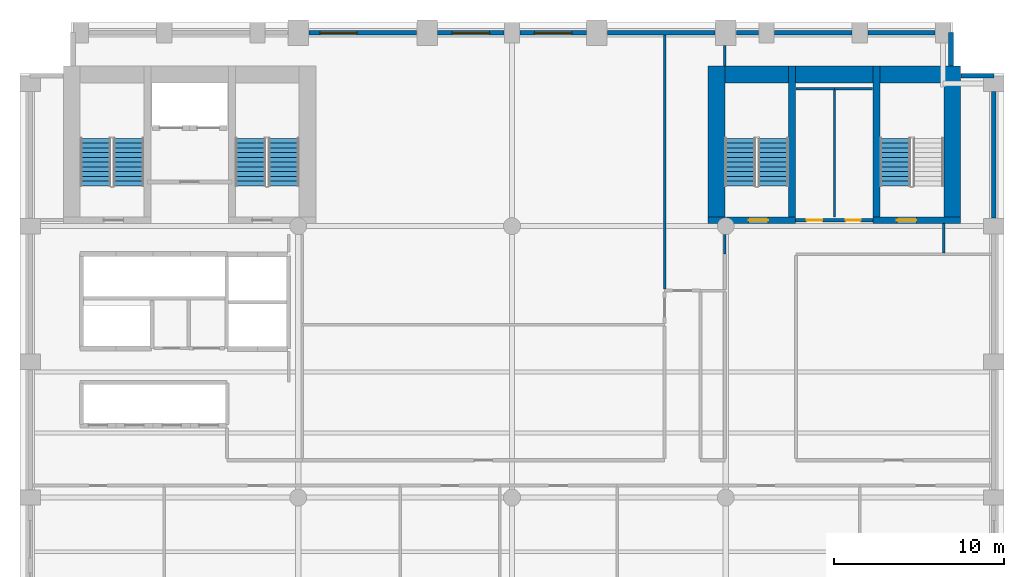
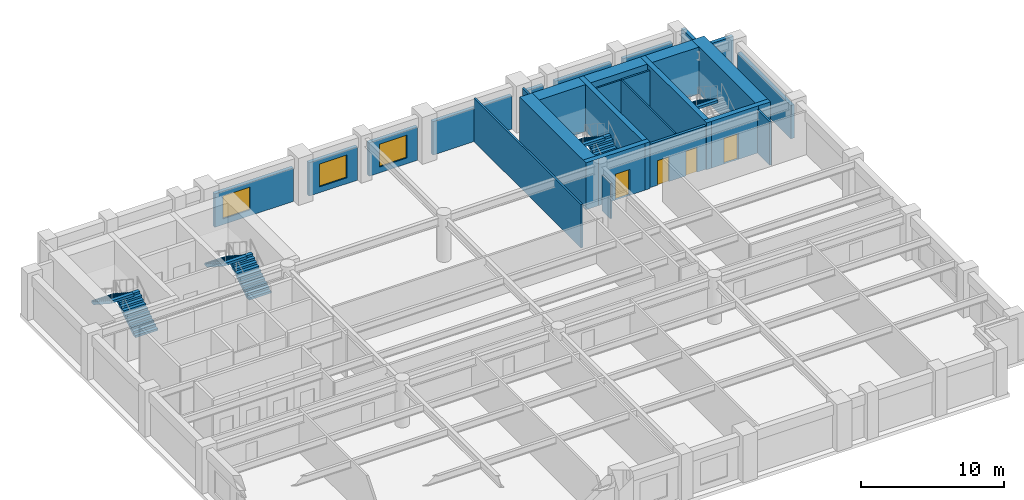
# One storey, part 5 of 8: 25 walls, 7 stair flights, 4 doors, 3 windows, 7 openings, 4 elements without a shape of their own.
"""IFC4 building model written with IfcOpenShell, lengths in metres."""

import ifcopenshell
import ifcopenshell.guid

model = None  # the IFC model being written
_history = None  # IfcOwnerHistory: only IFC2X3 demands one
_inside = {}  # id of a spatial element -> (the spatial element, [elements in it])
_under = {}  # id of a project, library or spatial element -> (it, [spatial elements below it])
_declared = {}  # id of a project -> (the project, [libraries it declares])
_typed = {}  # id of a type object -> (the type object, [elements of that type])
_made_of = {}  # id of a material, layer set ... -> (it, [elements and type objects made of it])


def new_model(schema):
    """Start an empty IFC model of exactly this schema.

    Asked for "IFC4X3", IfcOpenShell would pick the latest addendum, in which some entities
    have other attributes; the version numbers below select the first issue.
    IFC2X3 requires an IfcOwnerHistory on every rooted entity: one is made here for all.
    """
    global model, _history
    if schema == "IFC4X3":
        model = ifcopenshell.file(schema_version=(4, 3, 0, 0))
    else:
        model = ifcopenshell.file(schema=schema)
    _inside.clear()
    _under.clear()
    _declared.clear()
    _typed.clear()
    _made_of.clear()
    _history = None
    if model.schema == "IFC2X3":
        org = make("IfcOrganization", Name="unknown")
        user = make(
            "IfcPersonAndOrganization",
            ThePerson=make("IfcPerson", FamilyName="unknown"),
            TheOrganization=org,
        )
        app = make(
            "IfcApplication",
            ApplicationDeveloper=org,
            Version="unknown",
            ApplicationFullName="unknown",
            ApplicationIdentifier="unknown",
        )
        _history = make(
            "IfcOwnerHistory",
            OwningUser=user,
            OwningApplication=app,
            ChangeAction="ADDED",
            CreationDate=0,
        )
    return model


def make(cls, **values):
    """One entity of the class cls with the attributes given. An attribute that is None is left unset."""
    return model.create_entity(
        cls, **{name: value for name, value in values.items() if value is not None}
    )


def rooted(cls, **values):
    """An entity with a GlobalId (a new one), such as an element, a storey or a relation."""
    return make(cls, GlobalId=ifcopenshell.guid.new(), OwnerHistory=_history, **values)


def si_unit(unit_type, name, prefix=None):
    """IfcSIUnit, for example si_unit("LENGTHUNIT", "METRE", prefix="MILLI")."""
    return make("IfcSIUnit", UnitType=unit_type, Prefix=prefix, Name=name)


def assignment(units):
    """IfcUnitAssignment: the units of a project."""
    return None if units is None else make("IfcUnitAssignment", Units=units)


def point(xyz):
    """IfcCartesianPoint."""
    return None if xyz is None else make("IfcCartesianPoint", Coordinates=xyz)


def direction(xyz):
    """IfcDirection."""
    return None if xyz is None else make("IfcDirection", DirectionRatios=xyz)


def frame(location, z_axis=None, x_axis=None):
    """IfcAxis2Placement3D, a coordinate frame: its origin and axes. An axis left out is left unset."""
    return make(
        "IfcAxis2Placement3D",
        Location=point(location),
        Axis=direction(z_axis),
        RefDirection=direction(x_axis),
    )


def frame_2d(location, x_axis=None):
    """IfcAxis2Placement2D, a coordinate frame in the plane: its origin and x axis."""
    return make(
        "IfcAxis2Placement2D", Location=point(location), RefDirection=direction(x_axis)
    )


def origin():
    """The frame at (0, 0, 0) with its axes left unset."""
    return frame((0.0, 0.0, 0.0))


def place(relative_to, where):
    """IfcLocalPlacement: puts the frame where relative to a parent placement (None: the world)."""
    return make(
        "IfcLocalPlacement", PlacementRelTo=relative_to, RelativePlacement=where
    )


def context(
    kind, dimensions, precision=None, world=None, true_north=None, identifier=None
):
    """IfcGeometricRepresentationContext, for example the 3D "Model" context."""
    return make(
        "IfcGeometricRepresentationContext",
        ContextIdentifier=identifier,
        ContextType=kind,
        CoordinateSpaceDimension=dimensions,
        Precision=precision,
        WorldCoordinateSystem=world,
        TrueNorth=true_north,
    )


def subcontext(parent, identifier, kind, view, scale=None):
    """IfcGeometricRepresentationSubContext, for example "Body" below "Model"."""
    return make(
        "IfcGeometricRepresentationSubContext",
        ContextIdentifier=identifier,
        ContextType=kind,
        ParentContext=parent,
        TargetScale=scale,
        TargetView=view,
    )


def project(units=None, contexts=None):
    """IfcProject with its units and contexts."""
    return rooted(
        "IfcProject",
        Name="project",
        RepresentationContexts=contexts,
        UnitsInContext=assignment(units),
    )


def spatial(cls, under=None, at=None, **own):
    """A site, building, storey or space (cls), placed at a placement, below another one or the project."""
    s = rooted(cls, ObjectPlacement=at, **own)
    if under is not None:
        _under.setdefault(under.id(), (under, []))[1].append(s)
    return s


def polyline(points):
    """IfcPolyline through the points."""
    return make("IfcPolyline", Points=[point(p) for p in points])


def profile(cls, at=None, kind="AREA", **sizes):
    """A parametric profile (cls). Its sizes go by their IFC names, for example OverallWidth=200.0."""
    return make(cls, ProfileType=kind, Position=at, **sizes)


def rectangle(**sizes):
    """IfcRectangleProfileDef."""
    return profile("IfcRectangleProfileDef", **sizes)


def outline(outer, holes=None, kind="AREA"):
    """IfcArbitraryClosedProfileDef: a profile drawn as a closed curve; with holes, ...WithVoids."""
    if holes is None:
        return make("IfcArbitraryClosedProfileDef", ProfileType=kind, OuterCurve=outer)
    return make(
        "IfcArbitraryProfileDefWithVoids",
        ProfileType=kind,
        OuterCurve=outer,
        InnerCurves=holes,
    )


def extrude(swept, where, along, depth):
    """IfcExtrudedAreaSolid: the profile swept, set in the frame where, extruded along a direction by depth."""
    return make(
        "IfcExtrudedAreaSolid",
        SweptArea=swept,
        Position=where,
        ExtrudedDirection=direction(along),
        Depth=depth,
    )


def shape(context_of_items, identifier, shape_type, items):
    """IfcShapeRepresentation: the items that make up one representation, for example the "Body"."""
    return make(
        "IfcShapeRepresentation",
        ContextOfItems=context_of_items,
        RepresentationIdentifier=identifier,
        RepresentationType=shape_type,
        Items=items,
    )


def material(Name=None, Category=None):
    """IfcMaterial."""
    return make("IfcMaterial", Name=Name, Category=Category)


def layer(
    of_material, thickness, ventilated=None, Name=None, Category=None, Priority=None
):
    """IfcMaterialLayer: one layer of a wall or slab, of a material (None: an air gap)."""
    return make(
        "IfcMaterialLayer",
        Material=of_material,
        LayerThickness=thickness,
        IsVentilated=ventilated,
        Name=Name,
        Category=Category,
        Priority=Priority,
    )


def layer_set(layers, Name=None):
    """IfcMaterialLayerSet."""
    return make("IfcMaterialLayerSet", MaterialLayers=layers, LayerSetName=Name)


def made_of(thing, what):
    """Note that an element or type object is made of a material, layer set ...; save() writes the relation."""
    if what is not None:
        _made_of.setdefault(what.id(), (what, []))[1].append(thing)
    return thing


def type_object(cls, material=None, **own):
    """A type object (cls), such as IfcWallType, which elements share."""
    return made_of(rooted(cls, **own), material)


def element(
    cls,
    number,
    at=None,
    inside=None,
    cuts=None,
    type_object=None,
    material=None,
    context=None,
    identifier="Body",
    shape_type=None,
    held_by="IfcProductDefinitionShape",
    body=None,
    shapes=None,
    **own,
):
    """One element of the class cls, such as IfcWall. Its Tag is "e" and its number.

    at: its placement. inside: the storey or other place that contains it. cuts: it is an
    opening in that element (IfcRelVoidsElement). A single representation is given by context,
    identifier, shape_type and body (its items); several are given by shapes. held_by: the class
    of the entity that holds the representations. save() writes the other relations.
    """
    e = rooted(cls, Tag="e%d" % number, ObjectPlacement=at, **own)
    if body is not None:
        shapes = [shape(context, identifier, shape_type, body)]
    if shapes is not None:
        e.Representation = make(held_by, Representations=shapes)
    if inside is not None:
        _inside.setdefault(inside.id(), (inside, []))[1].append(e)
    if cuts is not None:
        rooted(
            "IfcRelVoidsElement", RelatingBuildingElement=cuts, RelatedOpeningElement=e
        )
    if type_object is not None:
        _typed.setdefault(type_object.id(), (type_object, []))[1].append(e)
    return made_of(e, material)


def fill(opening, filler):
    """IfcRelFillsElement: the door or window that sits in an opening."""
    return rooted(
        "IfcRelFillsElement",
        RelatingOpeningElement=opening,
        RelatedBuildingElement=filler,
    )


def aggregate(whole, parts):
    """IfcRelAggregates: a whole, such as a stair, and the parts it consists of."""
    return rooted("IfcRelAggregates", RelatingObject=whole, RelatedObjects=parts)


def save(model, path):
    """Write the relations noted so far, then the file.

    IfcRelAggregates (storeys below a building ...), IfcRelContainedInSpatialStructure (elements
    in a storey), IfcRelDefinesByType, IfcRelAssociatesMaterial and IfcRelDeclares: one each for
    every whole, place, type object, material and project.
    """
    for whole, parts in _under.values():
        aggregate(whole, parts)
    for where, things in _inside.values():
        rooted(
            "IfcRelContainedInSpatialStructure",
            RelatedElements=things,
            RelatingStructure=where,
        )
    for kind, things in _typed.values():
        rooted("IfcRelDefinesByType", RelatedObjects=things, RelatingType=kind)
    for what, things in _made_of.values():
        rooted("IfcRelAssociatesMaterial", RelatedObjects=things, RelatingMaterial=what)
    for by, libraries in _declared.values():
        rooted("IfcRelDeclares", RelatingContext=by, RelatedDefinitions=libraries)
    model.write(path)


model = new_model("IFC4")

# Units and contexts
model_context = context("Model", 3, precision=1e-05, world=origin(), true_north=direction((0.0, 1.0)))
body_context = subcontext(model_context, "Body", "Model", "MODEL_VIEW")
ifc_project = project(units=[si_unit("LENGTHUNIT", "METRE"), si_unit("AREAUNIT", "SQUARE_METRE"), si_unit("VOLUMEUNIT", "CUBIC_METRE"), si_unit("PLANEANGLEUNIT", "RADIAN"), si_unit("MASSUNIT", "GRAM", prefix="KILO")], contexts=[model_context])

# Site, building, storey
site_placement = place(None, origin())
site = spatial("IfcSite", under=ifc_project, at=site_placement, CompositionType="ELEMENT")
building_placement = place(site_placement, origin())
building = spatial("IfcBuilding", under=site, at=building_placement, Name="Sulina Concourse Tower", CompositionType="ELEMENT")
storey_placement = place(building_placement, frame((0.0, 0.0, 74.60009765625)))
storey = spatial("IfcBuildingStorey", under=building, at=storey_placement, Name="L18", CompositionType="ELEMENT", Elevation=74.60009765625)

# Wall, openings, doors
ifc_material_1 = material(Name="Gypsum board on steel stud", Category="steel")
ifc_layer_1 = layer(ifc_material_1, 0.219970703125)
ifc_layer_set_1 = layer_set([ifc_layer_1], Name="Gypsum board on steel stud")
wall_type_1 = type_object("IfcWallType", Name="Fire-Rated Lobby & Compartment Wall 220mm", PredefinedType="PARTITIONING", material=ifc_layer_set_1)
wall_1_placement = place(storey_placement, frame((45.719970703125, 34.35009765625, 0.0), z_axis=(0.0, 0.0, 1.0), x_axis=(1.0, 0.0, 0.0)))
wall_1 = element("IfcWall", 1, at=wall_1_placement, inside=storey, type_object=wall_type_1, Name="L18 east core south lobby wall", PredefinedType="PARTITIONING", context=body_context, shape_type="SweptSolid", body=[
    extrude(rectangle(XDim=4.56005859375, YDim=0.219970703125, at=frame_2d((2.280029296875, 0.0))), origin(), (0.0, 0.0, 1.0), 3.699951171875),
])
opening_1_placement = place(wall_1_placement, frame((0.64990234375, 0.0, 0.0)))
opening_1 = element("IfcOpeningElement", 2, at=opening_1_placement, cuts=wall_1, Name="Opening DR-61", PredefinedType="OPENING", context=body_context, shape_type="SweptSolid", body=[
    extrude(rectangle(XDim=0.919921875, YDim=2.10009765625, at=frame_2d((0.4599609375, 1.050048828125))), frame((0.0, 0.119873046875, 0.0), z_axis=(0.0, -1.0, 0.0), x_axis=(1.0, 0.0, 0.0)), (0.0, 0.0, 1.0), 0.239990234375),
])
opening_2_placement = place(wall_1_placement, frame((2.949951171875, 0.0, 0.0)))
opening_2 = element("IfcOpeningElement", 3, at=opening_2_placement, cuts=wall_1, Name="Opening DR-38", PredefinedType="OPENING", context=body_context, shape_type="SweptSolid", body=[
    extrude(rectangle(XDim=0.8798828125, YDim=2.10009765625, at=frame_2d((0.43994140625, 1.050048828125))), frame((0.0, 0.119873046875, 0.0), z_axis=(0.0, -1.0, 0.0), x_axis=(1.0, 0.0, 0.0)), (0.0, 0.0, 1.0), 0.239990234375),
])
ifc_material_2 = material(Name="Oak-veneered fire door leaf")
ifc_layer_2 = layer(ifc_material_2, 0.050048828125)
ifc_layer_set_2 = layer_set([ifc_layer_2], Name="Oak-veneered fire door leaf")
door_type_1 = type_object("IfcDoorType", Name="Accessible WC Door 920x2100", OperationType="NOTDEFINED", PredefinedType="DOOR", material=ifc_layer_set_2)
door_1_placement = place(opening_1_placement, origin())
door_1 = element("IfcDoor", 4, at=door_1_placement, inside=storey, type_object=door_type_1, Name="L18 east core accessible wc door", OperationType="SINGLE_SWING_LEFT", OverallHeight=2.10009765625, OverallWidth=0.919921875, PredefinedType="DOOR", context=body_context, shape_type="SweptSolid", body=[
    extrude(rectangle(XDim=0.919921875, YDim=2.10009765625, at=frame_2d((0.4599609375, 1.050048828125))), frame((0.0, 0.02490234375, 0.0), z_axis=(0.0, -1.0, 0.0), x_axis=(1.0, 0.0, 0.0)), (0.0, 0.0, 1.0), 0.050048828125),
])
fill(opening_1, door_1)
ifc_material_3 = material(Name="Galvanised steel acoustic fire leaf", Category="steel")
ifc_layer_3 = layer(ifc_material_3, 0.050048828125)
ifc_layer_set_3 = layer_set([ifc_layer_3], Name="Galvanised steel acoustic fire leaf")
door_type_2 = type_object("IfcDoorType", Name="Service Riser Fire Door 880x2100", OperationType="NOTDEFINED", PredefinedType="DOOR", material=ifc_layer_set_3)
door_2_placement = place(opening_2_placement, origin())
door_2 = element("IfcDoor", 5, at=door_2_placement, inside=storey, type_object=door_type_2, Name="L18 east core store door", OperationType="SINGLE_SWING_RIGHT", OverallHeight=2.10009765625, OverallWidth=0.8798828125, PredefinedType="DOOR", context=body_context, shape_type="SweptSolid", body=[
    extrude(rectangle(XDim=0.8798828125, YDim=2.10009765625, at=frame_2d((0.43994140625, 1.050048828125))), frame((0.0, 0.02490234375, 0.0), z_axis=(0.0, -1.0, 0.0), x_axis=(1.0, 0.0, 0.0)), (0.0, 0.0, 1.0), 0.050048828125),
])
fill(opening_2, door_2)

# Walls
ifc_material_4 = material(Name="Gypsum board on steel stud", Category="steel")
ifc_layer_4 = layer(ifc_material_4, 0.14990234375)
ifc_layer_set_4 = layer_set([ifc_layer_4], Name="Gypsum board on steel stud")
wall_type_2 = type_object("IfcWallType", Name="Inter-Tenancy Acoustic Partition 150mm", PredefinedType="PARTITIONING", material=ifc_layer_set_4)
wall_2_placement = place(storey_placement, frame((48.0, 42.10009765625, 0.0), z_axis=(0.0, 0.0, 1.0), x_axis=(1.0, 0.0, 0.0)))
element("IfcWall", 6, at=wall_2_placement, inside=storey, type_object=wall_type_2, Name="L18 interior partition 020", PredefinedType="PARTITIONING", context=body_context, shape_type="SweptSolid", body=[
    extrude(rectangle(XDim=2.25, YDim=0.14990234375, at=frame_2d((1.125, 0.0))), origin(), (0.0, 0.0, 1.0), 3.699951171875),
])
wall_3_placement = place(storey_placement, frame((38.0, 30.2900390625, 0.0), z_axis=(0.0, 0.0, 1.0), x_axis=(0.0, 1.0, 0.0)))
element("IfcWall", 7, at=wall_3_placement, inside=storey, type_object=wall_type_2, Name="L18 interior partition 033", PredefinedType="PARTITIONING", context=body_context, shape_type="SweptSolid", body=[
    extrude(rectangle(XDim=14.969970703125, YDim=0.14990234375, at=frame_2d((7.48486328125, 0.0))), origin(), (0.0, 0.0, 1.0), 3.699951171875),
])
wall_4_placement = place(storey_placement, frame((41.550048828125, 32.35009765625, 0.0), z_axis=(0.0, 0.0, 1.0), x_axis=(0.0, 1.0, 0.0)))
element("IfcWall", 8, at=wall_4_placement, inside=storey, type_object=wall_type_2, Name="L18 interior partition 037", PredefinedType="PARTITIONING", context=body_context, shape_type="SweptSolid", body=[
    extrude(rectangle(XDim=1.14990234375, YDim=0.14990234375, at=frame_2d((0.574951171875, 0.0))), origin(), (0.0, 0.0, 1.0), 2.994873046875),
])
wall_5_placement = place(storey_placement, frame((41.550048828125, 43.429931640625, 0.0), z_axis=(0.0, 0.0, 1.0), x_axis=(0.0, 1.0, 0.0)))
element("IfcWall", 9, at=wall_5_placement, inside=storey, type_object=wall_type_2, Name="L18 interior partition 038", PredefinedType="PARTITIONING", context=body_context, shape_type="SweptSolid", body=[
    extrude(rectangle(XDim=1.219970703125, YDim=0.14990234375, at=frame_2d((0.60986328125, 0.0))), origin(), (0.0, 0.0, 1.0), 3.699951171875),
])
wall_6_placement = place(storey_placement, frame((54.449951171875, 32.425048828125, 0.0), z_axis=(0.0, 0.0, 1.0), x_axis=(0.0, 1.0, 0.0)))
element("IfcWall", 10, at=wall_6_placement, inside=storey, type_object=wall_type_2, Name="L18 interior partition 042", PredefinedType="PARTITIONING", context=body_context, shape_type="SweptSolid", body=[
    extrude(rectangle(XDim=1.724853515625, YDim=0.14990234375, at=frame_2d((0.8623046875, 0.0))), origin(), (0.0, 0.0, 1.0), 3.699951171875),
])

# Wall, opening, door
ifc_material_5 = material(Name="Concrete C60/75", Category="concrete")
ifc_layer_5 = layer(ifc_material_5, 0.39990234375)
ifc_layer_set_5 = layer_set([ifc_layer_5], Name="Concrete C60/75")
wall_type_3 = type_object("IfcWallType", Name="Protected Stair Core Shear Wall 400mm", PredefinedType="SHEAR", material=ifc_layer_set_5)
wall_7_placement = place(storey_placement, frame((40.550048828125, 34.35009765625, 0.0), z_axis=(0.0, 0.0, 1.0), x_axis=(1.0, 0.0, 0.0)))
wall_7 = element("IfcWall", 11, at=wall_7_placement, inside=storey, type_object=wall_type_3, Name="L18 east core shear wall CW-ES1", PredefinedType="SHEAR", context=body_context, shape_type="SweptSolid", body=[
    extrude(rectangle(XDim=5.159912109375, YDim=0.39990234375, at=frame_2d((2.580078125, 0.0))), origin(), (0.0, 0.0, 1.0), 4.0),
])
opening_3_placement = place(wall_7_placement, frame((2.39990234375, 0.0, 0.0)))
opening_3 = element("IfcOpeningElement", 12, at=opening_3_placement, cuts=wall_7, Name="Opening DR-60", PredefinedType="OPENING", context=body_context, shape_type="SweptSolid", body=[
    extrude(rectangle(XDim=1.14990234375, YDim=2.199951171875, at=frame_2d((0.574951171875, 1.10009765625))), frame((0.0, 0.2099609375, 0.0), z_axis=(0.0, -1.0, 0.0), x_axis=(1.0, 0.0, 0.0)), (0.0, 0.0, 1.0), 0.419921875),
])
ifc_material_6 = material(Name="Galvanised steel acoustic fire leaf", Category="steel")
ifc_layer_6 = layer(ifc_material_6, 0.054931640625)
ifc_layer_set_6 = layer_set([ifc_layer_6], Name="Galvanised steel acoustic fire leaf")
door_type_3 = type_object("IfcDoorType", Name="Protected Exit Stair Fire Door 1150x2200", OperationType="NOTDEFINED", PredefinedType="DOOR", material=ifc_layer_set_6)
door_3_placement = place(opening_3_placement, origin())
door_3 = element("IfcDoor", 13, at=door_3_placement, inside=storey, type_object=door_type_3, Name="L18 stair ST-3 south lobby fire door", OperationType="SINGLE_SWING_RIGHT", OverallHeight=2.199951171875, OverallWidth=1.14990234375, PredefinedType="DOOR", context=body_context, shape_type="SweptSolid", body=[
    extrude(rectangle(XDim=1.14990234375, YDim=2.199951171875, at=frame_2d((0.574951171875, 1.10009765625))), frame((0.0, 0.02490234375, 0.0), z_axis=(0.0, -1.0, 0.0), x_axis=(1.0, 0.0, 0.0)), (0.0, 0.0, 1.0), 0.050048828125),
])
fill(opening_3, door_3)

# Wall
wall_8_placement = place(storey_placement, frame((45.510009765625, 34.14990234375, 0.0), z_axis=(0.0, 0.0, 1.0), x_axis=(0.0, 1.0, 0.0)))
element("IfcWall", 14, at=wall_8_placement, inside=storey, type_object=wall_type_3, Name="L18 east core shear wall SW-ST3", PredefinedType="SHEAR", context=body_context, shape_type="SweptSolid", body=[
    extrude(rectangle(XDim=9.280029296875, YDim=0.39990234375, at=frame_2d((4.64013671875, 0.0))), origin(), (0.0, 0.0, 1.0), 4.0),
])

# Wall, opening, door
wall_9_placement = place(storey_placement, frame((50.2900390625, 34.35009765625, 0.0), z_axis=(0.0, 0.0, 1.0), x_axis=(1.0, 0.0, 0.0)))
wall_9 = element("IfcWall", 15, at=wall_9_placement, inside=storey, type_object=wall_type_3, Name="L18 east core shear wall CW-ES2", PredefinedType="SHEAR", context=body_context, shape_type="SweptSolid", body=[
    extrude(rectangle(XDim=5.159912109375, YDim=0.39990234375, at=frame_2d((2.580078125, 0.0))), origin(), (0.0, 0.0, 1.0), 4.0),
])
opening_4_placement = place(wall_9_placement, frame((1.39990234375, 0.0, 0.0)))
opening_4 = element("IfcOpeningElement", 16, at=opening_4_placement, cuts=wall_9, Name="Opening DR-60", PredefinedType="OPENING", context=body_context, shape_type="SweptSolid", body=[
    extrude(rectangle(XDim=1.14990234375, YDim=2.199951171875, at=frame_2d((0.574951171875, 1.10009765625))), frame((0.0, 0.2099609375, 0.0), z_axis=(0.0, -1.0, 0.0), x_axis=(1.0, 0.0, 0.0)), (0.0, 0.0, 1.0), 0.419921875),
])
door_4_placement = place(opening_4_placement, origin())
door_4 = element("IfcDoor", 17, at=door_4_placement, inside=storey, type_object=door_type_3, Name="L18 stair ST-4 south lobby fire door", OperationType="SINGLE_SWING_LEFT", OverallHeight=2.199951171875, OverallWidth=1.14990234375, PredefinedType="DOOR", context=body_context, shape_type="SweptSolid", body=[
    extrude(rectangle(XDim=1.14990234375, YDim=2.199951171875, at=frame_2d((0.574951171875, 1.10009765625))), frame((0.0, 0.02490234375, 0.0), z_axis=(0.0, -1.0, 0.0), x_axis=(1.0, 0.0, 0.0)), (0.0, 0.0, 1.0), 0.050048828125),
])
fill(opening_4, door_4)

# Walls
wall_10_placement = place(storey_placement, frame((50.489990234375, 34.14990234375, 0.0), z_axis=(0.0, 0.0, 1.0), x_axis=(0.0, 1.0, 0.0)))
element("IfcWall", 18, at=wall_10_placement, inside=storey, type_object=wall_type_3, Name="L18 east core shear wall SW-ST4", PredefinedType="SHEAR", context=body_context, shape_type="SweptSolid", body=[
    extrude(rectangle(XDim=9.280029296875, YDim=0.39990234375, at=frame_2d((4.64013671875, 0.0))), origin(), (0.0, 0.0, 1.0), 4.0),
])
ifc_material_7 = material(Name="Concrete C80/95", Category="concrete")
ifc_layer_7 = layer(ifc_material_7, 1.0)
ifc_layer_set_7 = layer_set([ifc_layer_7], Name="Concrete C80/95")
wall_type_4 = type_object("IfcWallType", Name="Rear Core Shear Wall 1000mm", PredefinedType="SHEAR", material=ifc_layer_set_7)
wall_11_placement = place(storey_placement, frame((40.550048828125, 42.929931640625, 0.0), z_axis=(0.0, 0.0, 1.0), x_axis=(1.0, 0.0, 0.0)))
element("IfcWall", 19, at=wall_11_placement, inside=storey, type_object=wall_type_4, Name="L18 east core shear wall CW-EN", PredefinedType="SHEAR", context=body_context, shape_type="SweptSolid", body=[
    extrude(rectangle(XDim=14.89990234375, YDim=1.0, at=frame_2d((7.449951171875, 0.0))), origin(), (0.0, 0.0, 1.0), 4.0),
])
for number, where, z_axis, x_axis, name in (
    (20, (41.050048828125, 34.14990234375, 0.0), (0.0, 0.0, 1.0), (0.0, 1.0, 0.0), "L18 east core shear wall CW-EW"),
    (21, (54.949951171875, 34.14990234375, 0.0), (0.0, 0.0, 1.0), (0.0, 1.0, 0.0), "L18 east core shear wall CW-EE"),
):
    element("IfcWall", number, at=place(storey_placement, frame(where, z_axis=z_axis, x_axis=x_axis)), inside=storey, type_object=wall_type_4, Name=name, PredefinedType="SHEAR", context=body_context, shape_type="SweptSolid", body=[
        extrude(rectangle(XDim=9.280029296875, YDim=1.0, at=frame_2d((4.64013671875, 0.0))), origin(), (0.0, 0.0, 1.0), 4.0),
    ])

# Wall, opening, window
ifc_material_8 = material(Name="Precast concrete C50/60", Category="concrete")
ifc_layer_8 = layer(ifc_material_8, 0.280029296875)
ifc_layer_set_8 = layer_set([ifc_layer_8], Name="Precast concrete C50/60")
wall_type_5 = type_object("IfcWallType", Name="Typical Precast Masonry-Frame Facade Wall 280mm", PredefinedType="SOLIDWALL", material=ifc_layer_set_8)
wall_12_placement = place(storey_placement, frame((17.02001953125, 45.39990234375, 0.0), z_axis=(0.0, 0.0, 1.0), x_axis=(1.0, 0.0, 0.0)))
wall_12 = element("IfcWall", 22, at=wall_12_placement, inside=storey, type_object=wall_type_5, Name="L18 exterior precast wall N4", PredefinedType="SOLIDWALL", context=body_context, shape_type="SweptSolid", body=[
    extrude(rectangle(XDim=6.35986328125, YDim=0.280029296875, at=frame_2d((3.179931640625, 0.0))), origin(), (0.0, 0.0, 1.0), 2.849853515625),
])
opening_5_placement = place(wall_12_placement, frame((0.6533203125, 0.0, 0.5)))
opening_5 = element("IfcOpeningElement", 23, at=opening_5_placement, cuts=wall_12, Name="Opening WN-76", PredefinedType="OPENING", context=body_context, shape_type="SweptSolid", body=[
    extrude(rectangle(XDim=2.199951171875, YDim=1.949951171875, at=frame_2d((1.10009765625, 0.97509765625))), frame((0.0, 0.14990234375, 0.0), z_axis=(0.0, -1.0, 0.0), x_axis=(1.0, 0.0, 0.0)), (0.0, 0.0, 1.0), 0.300048828125),
])
ifc_material_9 = material(Name="Low-E solar double glazing in bronze aluminium", Category="aluminium")
window_type = type_object("IfcWindowType", Name="Recessed Spandrel Window 2200x1950", PartitioningType="DOUBLE_PANEL_VERTICAL", PredefinedType="WINDOW", material=ifc_material_9)
window_1_placement = place(opening_5_placement, origin())
window_1 = element("IfcWindow", 24, at=window_1_placement, inside=storey, type_object=window_type, Name="L18 punched window N4-1", OverallHeight=1.949951171875, OverallWidth=2.199951171875, PartitioningType="SINGLE_PANEL", PredefinedType="WINDOW", context=body_context, shape_type="SweptSolid", body=[
    extrude(rectangle(XDim=2.199951171875, YDim=1.949951171875, at=frame_2d((1.10009765625, 0.97509765625))), frame((0.0, 0.030029296875, 0.0), z_axis=(0.0, -1.0, 0.0), x_axis=(1.0, 0.0, 0.0)), (0.0, 0.0, 1.0), 0.06005859375),
])
fill(opening_5, window_1)

wall_13_placement = place(storey_placement, frame((24.6201171875, 45.39990234375, 0.0), z_axis=(0.0, 0.0, 1.0), x_axis=(1.0, 0.0, 0.0)))
wall_13 = element("IfcWall", 25, at=wall_13_placement, inside=storey, type_object=wall_type_5, Name="L18 exterior precast wall N5", PredefinedType="SOLIDWALL", context=body_context, shape_type="SweptSolid", body=[
    extrude(rectangle(XDim=3.909912109375, YDim=0.280029296875, at=frame_2d((1.955078125, 0.0))), origin(), (0.0, 0.0, 1.0), 2.849853515625),
])
opening_6_placement = place(wall_13_placement, frame((0.85498046875, 0.0, 0.5)))
opening_6 = element("IfcOpeningElement", 26, at=opening_6_placement, cuts=wall_13, Name="Opening WN-76", PredefinedType="OPENING", context=body_context, shape_type="SweptSolid", body=[
    extrude(rectangle(XDim=2.199951171875, YDim=1.949951171875, at=frame_2d((1.10009765625, 0.97509765625))), frame((0.0, 0.14990234375, 0.0), z_axis=(0.0, -1.0, 0.0), x_axis=(1.0, 0.0, 0.0)), (0.0, 0.0, 1.0), 0.300048828125),
])
window_2_placement = place(opening_6_placement, origin())
window_2 = element("IfcWindow", 27, at=window_2_placement, inside=storey, type_object=window_type, Name="L18 punched window N5-1", OverallHeight=1.949951171875, OverallWidth=2.199951171875, PartitioningType="SINGLE_PANEL", PredefinedType="WINDOW", context=body_context, shape_type="SweptSolid", body=[
    extrude(rectangle(XDim=2.199951171875, YDim=1.949951171875, at=frame_2d((1.10009765625, 0.97509765625))), frame((0.0, 0.030029296875, 0.0), z_axis=(0.0, -1.0, 0.0), x_axis=(1.0, 0.0, 0.0)), (0.0, 0.0, 1.0), 0.06005859375),
])
fill(opening_6, window_2)

wall_14_placement = place(storey_placement, frame((29.469970703125, 45.39990234375, 0.0), z_axis=(0.0, 0.0, 1.0), x_axis=(1.0, 0.0, 0.0)))
wall_14 = element("IfcWall", 28, at=wall_14_placement, inside=storey, type_object=wall_type_5, Name="L18 exterior precast wall N6", PredefinedType="SOLIDWALL", context=body_context, shape_type="SweptSolid", body=[
    extrude(rectangle(XDim=3.909912109375, YDim=0.280029296875, at=frame_2d((1.955078125, 0.0))), origin(), (0.0, 0.0, 1.0), 2.849853515625),
])
opening_7_placement = place(wall_14_placement, frame((0.85498046875, 0.0, 0.5)))
opening_7 = element("IfcOpeningElement", 29, at=opening_7_placement, cuts=wall_14, Name="Opening WN-76", PredefinedType="OPENING", context=body_context, shape_type="SweptSolid", body=[
    extrude(rectangle(XDim=2.199951171875, YDim=1.949951171875, at=frame_2d((1.10009765625, 0.97509765625))), frame((0.0, 0.14990234375, 0.0), z_axis=(0.0, -1.0, 0.0), x_axis=(1.0, 0.0, 0.0)), (0.0, 0.0, 1.0), 0.300048828125),
])
window_3_placement = place(opening_7_placement, origin())
window_3 = element("IfcWindow", 30, at=window_3_placement, inside=storey, type_object=window_type, Name="L18 punched window N6-1", OverallHeight=1.949951171875, OverallWidth=2.199951171875, PartitioningType="SINGLE_PANEL", PredefinedType="WINDOW", context=body_context, shape_type="SweptSolid", body=[
    extrude(rectangle(XDim=2.199951171875, YDim=1.949951171875, at=frame_2d((1.10009765625, 0.97509765625))), frame((0.0, 0.030029296875, 0.0), z_axis=(0.0, -1.0, 0.0), x_axis=(1.0, 0.0, 0.0)), (0.0, 0.0, 1.0), 0.06005859375),
])
fill(opening_7, window_3)

# Walls
wall_15_placement = place(storey_placement, frame((34.6201171875, 45.39990234375, 0.0), z_axis=(0.0, 0.0, 1.0), x_axis=(1.0, 0.0, 0.0)))
element("IfcWall", 31, at=wall_15_placement, inside=storey, type_object=wall_type_5, Name="L18 exterior precast wall N7", PredefinedType="SOLIDWALL", context=body_context, shape_type="SweptSolid", body=[
    extrude(rectangle(XDim=6.35986328125, YDim=0.280029296875, at=frame_2d((3.179931640625, 0.0))), origin(), (0.0, 0.0, 1.0), 2.849853515625),
])
wall_16_placement = place(storey_placement, frame((42.219970703125, 45.39990234375, 0.0), z_axis=(0.0, 0.0, 1.0), x_axis=(1.0, 0.0, 0.0)))
element("IfcWall", 32, at=wall_16_placement, inside=storey, type_object=wall_type_5, Name="L18 exterior precast wall N8", PredefinedType="SOLIDWALL", context=body_context, shape_type="SweptSolid", body=[
    extrude(rectangle(XDim=1.31005859375, YDim=0.280029296875, at=frame_2d((0.655029296875, 0.0))), origin(), (0.0, 0.0, 1.0), 2.849853515625),
])
wall_17_placement = place(storey_placement, frame((44.469970703125, 45.39990234375, 0.0), z_axis=(0.0, 0.0, 1.0), x_axis=(1.0, 0.0, 0.0)))
element("IfcWall", 33, at=wall_17_placement, inside=storey, type_object=wall_type_5, Name="L18 exterior precast wall N9", PredefinedType="SOLIDWALL", context=body_context, shape_type="SweptSolid", body=[
    extrude(rectangle(XDim=4.56005859375, YDim=0.280029296875, at=frame_2d((2.280029296875, 0.0))), origin(), (0.0, 0.0, 1.0), 2.849853515625),
])
wall_18_placement = place(storey_placement, frame((49.969970703125, 45.39990234375, 0.0), z_axis=(0.0, 0.0, 1.0), x_axis=(1.0, 0.0, 0.0)))
element("IfcWall", 34, at=wall_18_placement, inside=storey, type_object=wall_type_5, Name="L18 exterior precast wall N10", PredefinedType="SOLIDWALL", context=body_context, shape_type="SweptSolid", body=[
    extrude(rectangle(XDim=3.9599609375, YDim=0.280029296875, at=frame_2d((1.97998046875, 0.0))), origin(), (0.0, 0.0, 1.0), 2.849853515625),
])
wall_19_placement = place(storey_placement, frame((57.39990234375, 41.929931640625, 0.0), z_axis=(0.0, 0.0, 1.0), x_axis=(0.0, -1.0, 0.0)))
element("IfcWall", 35, at=wall_19_placement, inside=storey, type_object=wall_type_5, Name="L18 exterior precast wall E5", PredefinedType="SOLIDWALL", context=body_context, shape_type="SweptSolid", body=[
    extrude(rectangle(XDim=7.4599609375, YDim=0.280029296875, at=frame_2d((3.72998046875, 0.0))), origin(), (0.0, 0.0, 1.0), 2.849853515625),
])
wall_20_placement = place(storey_placement, frame((54.8701171875, 45.39990234375, 0.0), z_axis=(0.0, 0.0, 1.0), x_axis=(0.0, -1.0, 0.0)))
element("IfcWall", 36, at=wall_20_placement, inside=storey, type_object=wall_type_5, Name="L18 exterior precast wall CNE1", PredefinedType="SOLIDWALL", context=body_context, shape_type="SweptSolid", body=[
    extrude(rectangle(XDim=1.96484375, YDim=0.280029296875, at=frame_2d((0.982421875, 0.0))), origin(), (0.0, 0.0, 1.0), 3.699951171875),
])
wall_21_placement = place(storey_placement, frame((55.455078125, 42.8701171875, 0.0), z_axis=(0.0, 0.0, 1.0), x_axis=(1.0, 0.0, 0.0)))
element("IfcWall", 37, at=wall_21_placement, inside=storey, type_object=wall_type_5, Name="L18 exterior precast wall CNE2", PredefinedType="SOLIDWALL", context=body_context, shape_type="SweptSolid", body=[
    extrude(rectangle(XDim=1.94482421875, YDim=0.280029296875, at=frame_2d((0.972412109375, 0.0))), origin(), (0.0, 0.0, 1.0), 3.699951171875),
])
ifc_material_10 = material(Name="Gypsum board on steel stud", Category="steel")
ifc_layer_9 = layer(ifc_material_10, 0.125)
ifc_layer_set_9 = layer_set([ifc_layer_9], Name="Gypsum board on steel stud")
wall_type_6 = type_object("IfcWallType", Name="Wet-Area Moisture-Resistant Partition 125mm", PredefinedType="PARTITIONING", material=ifc_layer_set_9)
wall_22_placement = place(storey_placement, frame((45.75, 42.10009765625, 0.0), z_axis=(0.0, 0.0, 1.0), x_axis=(1.0, 0.0, 0.0)))
element("IfcWall", 38, at=wall_22_placement, inside=storey, type_object=wall_type_6, Name="L18 interior partition 019", PredefinedType="PARTITIONING", context=body_context, shape_type="SweptSolid", body=[
    extrude(rectangle(XDim=2.25, YDim=0.125, at=frame_2d((1.125, 0.0))), origin(), (0.0, 0.0, 1.0), 3.699951171875),
])
wall_23_placement = place(storey_placement, frame((48.0, 34.550048828125, 0.0), z_axis=(0.0, 0.0, 1.0), x_axis=(0.0, 1.0, 0.0)))
element("IfcWall", 39, at=wall_23_placement, inside=storey, type_object=wall_type_6, Name="L18 interior partition 040", PredefinedType="PARTITIONING", context=body_context, shape_type="SweptSolid", body=[
    extrude(rectangle(XDim=7.474853515625, YDim=0.125, at=frame_2d((3.7373046875, 0.0))), origin(), (0.0, 0.0, 1.0), 3.699951171875),
])

# Stair, stair flights
ifc_material_11 = material(Name="Concrete C50/60", Category="concrete")
stair_type_1 = type_object("IfcStairType", Name="Portal & Podium Core Exit Stair 1820mm", PredefinedType="HALF_TURN_STAIR", material=ifc_material_11)
stair_1_placement = place(storey_placement, origin())
stair_1 = element("IfcStair", 40, at=stair_1_placement, inside=storey, type_object=stair_type_1, Name="L18 ST-3", PredefinedType="HALF_TURN_STAIR")
ifc_material_12 = material(Name="Concrete C50/60", Category="concrete")
stair_flight_type_1 = type_object("IfcStairFlightType", Name="Portal & Podium Core Exit Stair 1820mm Flight", PredefinedType="STRAIGHT", material=ifc_material_12)
stair_flight_1_placement = place(storey_placement, frame((44.405029296875, 36.375, 0.0), z_axis=(0.0, 0.0, 1.0), x_axis=(0.0, 1.0, 0.0)))
stair_flight_1 = element("IfcStairFlight", 41, at=stair_flight_1_placement, type_object=stair_flight_type_1, Name="ST-3 flight 1", NumberOfRisers=11, NumberOfTreads=10, PredefinedType="STRAIGHT", RiserHeight=0.181818182, TreadLength=0.28, context=body_context, shape_type="SweptSolid", body=[
    extrude(outline(polyline([(0.0, 0.0), (0.0, 0.181884765625), (0.280029296875, 0.181884765625), (0.280029296875, 0.363525390625), (0.56005859375, 0.363525390625), (0.56005859375, 0.54541015625), (0.840087890625, 0.54541015625), (0.840087890625, 0.727294921875), (1.1201171875, 0.727294921875), (1.1201171875, 0.9091796875), (1.39990234375, 0.9091796875), (1.39990234375, 1.0908203125), (1.679931640625, 1.0908203125), (1.679931640625, 1.272705078125), (1.9599609375, 1.272705078125), (1.9599609375, 1.45458984375), (2.239990234375, 1.45458984375), (2.239990234375, 1.636474609375), (2.52001953125, 1.636474609375), (2.52001953125, 1.818115234375), (2.800048828125, 1.818115234375), (2.800048828125, 2.0), (2.800048828125, 1.603759765625), (0.330322265625, 0.0), (0.0, 0.0)])), frame((0.0, 0.89990234375, 0.0), z_axis=(0.0, -1.0, 0.0), x_axis=(1.0, 0.0, 0.0)), (0.0, 0.0, 1.0), 1.800048828125),
])
stair_flight_2_placement = place(storey_placement, frame((42.455078125, 39.175048828125, 2.0), z_axis=(0.0, 0.0, 1.0), x_axis=(0.0, -1.0, 0.0)))
stair_flight_2 = element("IfcStairFlight", 42, at=stair_flight_2_placement, type_object=stair_flight_type_1, Name="ST-3 flight 2", NumberOfRisers=11, NumberOfTreads=10, PredefinedType="STRAIGHT", RiserHeight=0.181818182, TreadLength=0.28, context=body_context, shape_type="SweptSolid", body=[
    extrude(outline(polyline([(0.0, 0.0), (0.0, 0.181884765625), (0.280029296875, 0.181884765625), (0.280029296875, 0.363525390625), (0.56005859375, 0.363525390625), (0.56005859375, 0.54541015625), (0.840087890625, 0.54541015625), (0.840087890625, 0.727294921875), (1.1201171875, 0.727294921875), (1.1201171875, 0.9091796875), (1.39990234375, 0.9091796875), (1.39990234375, 1.0908203125), (1.679931640625, 1.0908203125), (1.679931640625, 1.272705078125), (1.9599609375, 1.272705078125), (1.9599609375, 1.45458984375), (2.239990234375, 1.45458984375), (2.239990234375, 1.636474609375), (2.52001953125, 1.636474609375), (2.52001953125, 1.818115234375), (2.800048828125, 1.818115234375), (2.800048828125, 2.0), (2.800048828125, 1.603759765625), (0.330322265625, 0.0), (0.0, 0.0)])), frame((0.0, 0.89990234375, 0.0), z_axis=(0.0, -1.0, 0.0), x_axis=(1.0, 0.0, 0.0)), (0.0, 0.0, 1.0), 1.800048828125),
])
aggregate(stair_1, [stair_flight_1, stair_flight_2])

# Stair, stair flight
stair_2_placement = place(storey_placement, origin())
stair_2 = element("IfcStair", 43, at=stair_2_placement, inside=storey, type_object=stair_type_1, Name="L18 ST-4", PredefinedType="HALF_TURN_STAIR")
stair_flight_3_placement = place(storey_placement, frame((51.594970703125, 39.175048828125, 2.0), z_axis=(0.0, 0.0, 1.0), x_axis=(0.0, -1.0, 0.0)))
stair_flight_3 = element("IfcStairFlight", 44, at=stair_flight_3_placement, type_object=stair_flight_type_1, Name="ST-4 flight 2", NumberOfRisers=11, NumberOfTreads=10, PredefinedType="STRAIGHT", RiserHeight=0.181818182, TreadLength=0.28, context=body_context, shape_type="SweptSolid", body=[
    extrude(outline(polyline([(0.0, 0.0), (0.0, 0.181884765625), (0.280029296875, 0.181884765625), (0.280029296875, 0.363525390625), (0.56005859375, 0.363525390625), (0.56005859375, 0.54541015625), (0.840087890625, 0.54541015625), (0.840087890625, 0.727294921875), (1.1201171875, 0.727294921875), (1.1201171875, 0.9091796875), (1.39990234375, 0.9091796875), (1.39990234375, 1.0908203125), (1.679931640625, 1.0908203125), (1.679931640625, 1.272705078125), (1.9599609375, 1.272705078125), (1.9599609375, 1.45458984375), (2.239990234375, 1.45458984375), (2.239990234375, 1.636474609375), (2.52001953125, 1.636474609375), (2.52001953125, 1.818115234375), (2.800048828125, 1.818115234375), (2.800048828125, 2.0), (2.800048828125, 1.603759765625), (0.330322265625, 0.0), (0.0, 0.0)])), frame((0.0, 0.89990234375, 0.0), z_axis=(0.0, -1.0, 0.0), x_axis=(1.0, 0.0, 0.0)), (0.0, 0.0, 1.0), 1.800048828125),
])
aggregate(stair_2, [stair_flight_3])

# Stair, stair flights
ifc_material_13 = material(Name="Concrete C50/60", Category="concrete")
stair_type_2 = type_object("IfcStairType", Name="Primary Core Dog-Leg Exit Stair 1800mm", PredefinedType="HALF_TURN_STAIR", material=ifc_material_13)
stair_3_placement = place(storey_placement, origin())
stair_3 = element("IfcStair", 45, at=stair_3_placement, inside=storey, type_object=stair_type_2, Name="L18 ST-1", PredefinedType="HALF_TURN_STAIR")
ifc_material_14 = material(Name="Concrete C50/60", Category="concrete")
stair_flight_type_2 = type_object("IfcStairFlightType", Name="Primary Core Dog-Leg Exit Stair 1800mm Flight", PredefinedType="STRAIGHT", material=ifc_material_14)
stair_flight_4_placement = place(storey_placement, frame((6.405029296875, 36.375, 0.0), z_axis=(0.0, 0.0, 1.0), x_axis=(0.0, 1.0, 0.0)))
stair_flight_4 = element("IfcStairFlight", 46, at=stair_flight_4_placement, type_object=stair_flight_type_2, Name="ST-1 flight 1", NumberOfRisers=11, NumberOfTreads=10, PredefinedType="STRAIGHT", RiserHeight=0.181818182, TreadLength=0.28, context=body_context, shape_type="SweptSolid", body=[
    extrude(outline(polyline([(0.0, 0.0), (0.0, 0.181884765625), (0.280029296875, 0.181884765625), (0.280029296875, 0.363525390625), (0.56005859375, 0.363525390625), (0.56005859375, 0.54541015625), (0.840087890625, 0.54541015625), (0.840087890625, 0.727294921875), (1.1201171875, 0.727294921875), (1.1201171875, 0.9091796875), (1.39990234375, 0.9091796875), (1.39990234375, 1.0908203125), (1.679931640625, 1.0908203125), (1.679931640625, 1.272705078125), (1.9599609375, 1.272705078125), (1.9599609375, 1.45458984375), (2.239990234375, 1.45458984375), (2.239990234375, 1.636474609375), (2.52001953125, 1.636474609375), (2.52001953125, 1.818115234375), (2.800048828125, 1.818115234375), (2.800048828125, 2.0), (2.800048828125, 1.603759765625), (0.330322265625, 0.0), (0.0, 0.0)])), frame((0.0, 0.89990234375, 0.0), z_axis=(0.0, -1.0, 0.0), x_axis=(1.0, 0.0, 0.0)), (0.0, 0.0, 1.0), 1.800048828125),
])
stair_flight_5_placement = place(storey_placement, frame((4.455078125, 39.175048828125, 2.0), z_axis=(0.0, 0.0, 1.0), x_axis=(0.0, -1.0, 0.0)))
stair_flight_5 = element("IfcStairFlight", 47, at=stair_flight_5_placement, type_object=stair_flight_type_2, Name="ST-1 flight 2", NumberOfRisers=11, NumberOfTreads=10, PredefinedType="STRAIGHT", RiserHeight=0.181818182, TreadLength=0.28, context=body_context, shape_type="SweptSolid", body=[
    extrude(outline(polyline([(0.0, 0.0), (0.0, 0.181884765625), (0.280029296875, 0.181884765625), (0.280029296875, 0.363525390625), (0.56005859375, 0.363525390625), (0.56005859375, 0.54541015625), (0.840087890625, 0.54541015625), (0.840087890625, 0.727294921875), (1.1201171875, 0.727294921875), (1.1201171875, 0.9091796875), (1.39990234375, 0.9091796875), (1.39990234375, 1.0908203125), (1.679931640625, 1.0908203125), (1.679931640625, 1.272705078125), (1.9599609375, 1.272705078125), (1.9599609375, 1.45458984375), (2.239990234375, 1.45458984375), (2.239990234375, 1.636474609375), (2.52001953125, 1.636474609375), (2.52001953125, 1.818115234375), (2.800048828125, 1.818115234375), (2.800048828125, 2.0), (2.800048828125, 1.603759765625), (0.330322265625, 0.0), (0.0, 0.0)])), frame((0.0, 0.89990234375, 0.0), z_axis=(0.0, -1.0, 0.0), x_axis=(1.0, 0.0, 0.0)), (0.0, 0.0, 1.0), 1.800048828125),
])
aggregate(stair_3, [stair_flight_4, stair_flight_5])

stair_4_placement = place(storey_placement, origin())
stair_4 = element("IfcStair", 48, at=stair_4_placement, inside=storey, type_object=stair_type_2, Name="L18 ST-2", PredefinedType="HALF_TURN_STAIR")
stair_flight_6_placement = place(storey_placement, frame((15.544921875, 36.375, 0.0), z_axis=(0.0, 0.0, 1.0), x_axis=(0.0, 1.0, 0.0)))
stair_flight_6 = element("IfcStairFlight", 49, at=stair_flight_6_placement, type_object=stair_flight_type_2, Name="ST-2 flight 1", NumberOfRisers=11, NumberOfTreads=10, PredefinedType="STRAIGHT", RiserHeight=0.181818182, TreadLength=0.28, context=body_context, shape_type="SweptSolid", body=[
    extrude(outline(polyline([(0.0, 0.0), (0.0, 0.181884765625), (0.280029296875, 0.181884765625), (0.280029296875, 0.363525390625), (0.56005859375, 0.363525390625), (0.56005859375, 0.54541015625), (0.840087890625, 0.54541015625), (0.840087890625, 0.727294921875), (1.1201171875, 0.727294921875), (1.1201171875, 0.9091796875), (1.39990234375, 0.9091796875), (1.39990234375, 1.0908203125), (1.679931640625, 1.0908203125), (1.679931640625, 1.272705078125), (1.9599609375, 1.272705078125), (1.9599609375, 1.45458984375), (2.239990234375, 1.45458984375), (2.239990234375, 1.636474609375), (2.52001953125, 1.636474609375), (2.52001953125, 1.818115234375), (2.800048828125, 1.818115234375), (2.800048828125, 2.0), (2.800048828125, 1.603759765625), (0.330322265625, 0.0), (0.0, 0.0)])), frame((0.0, 0.89990234375, 0.0), z_axis=(0.0, -1.0, 0.0), x_axis=(1.0, 0.0, 0.0)), (0.0, 0.0, 1.0), 1.800048828125),
])
stair_flight_7_placement = place(storey_placement, frame((13.594970703125, 39.175048828125, 2.0), z_axis=(0.0, 0.0, 1.0), x_axis=(0.0, -1.0, 0.0)))
stair_flight_7 = element("IfcStairFlight", 50, at=stair_flight_7_placement, type_object=stair_flight_type_2, Name="ST-2 flight 2", NumberOfRisers=11, NumberOfTreads=10, PredefinedType="STRAIGHT", RiserHeight=0.181818182, TreadLength=0.28, context=body_context, shape_type="SweptSolid", body=[
    extrude(outline(polyline([(0.0, 0.0), (0.0, 0.181884765625), (0.280029296875, 0.181884765625), (0.280029296875, 0.363525390625), (0.56005859375, 0.363525390625), (0.56005859375, 0.54541015625), (0.840087890625, 0.54541015625), (0.840087890625, 0.727294921875), (1.1201171875, 0.727294921875), (1.1201171875, 0.9091796875), (1.39990234375, 0.9091796875), (1.39990234375, 1.0908203125), (1.679931640625, 1.0908203125), (1.679931640625, 1.272705078125), (1.9599609375, 1.272705078125), (1.9599609375, 1.45458984375), (2.239990234375, 1.45458984375), (2.239990234375, 1.636474609375), (2.52001953125, 1.636474609375), (2.52001953125, 1.818115234375), (2.800048828125, 1.818115234375), (2.800048828125, 2.0), (2.800048828125, 1.603759765625), (0.330322265625, 0.0), (0.0, 0.0)])), frame((0.0, 0.89990234375, 0.0), z_axis=(0.0, -1.0, 0.0), x_axis=(1.0, 0.0, 0.0)), (0.0, 0.0, 1.0), 1.800048828125),
])
aggregate(stair_4, [stair_flight_6, stair_flight_7])

save(model, "model.ifc")
